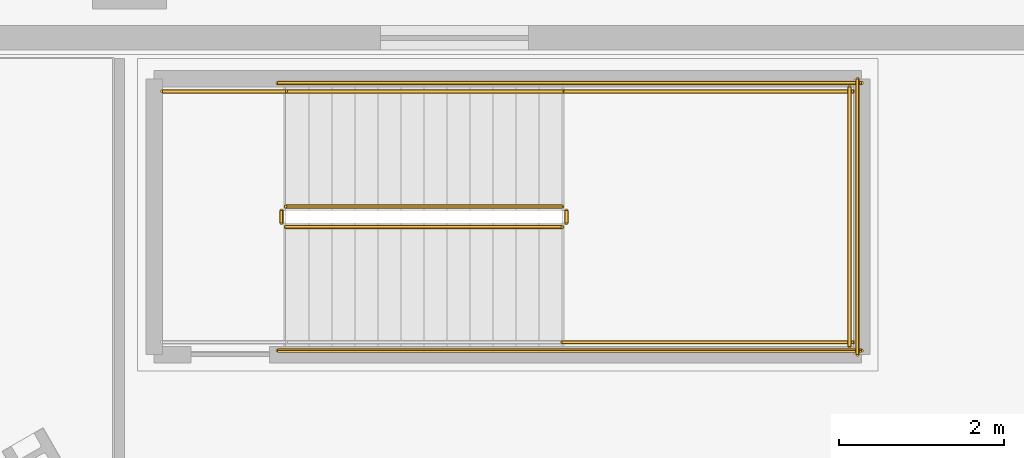
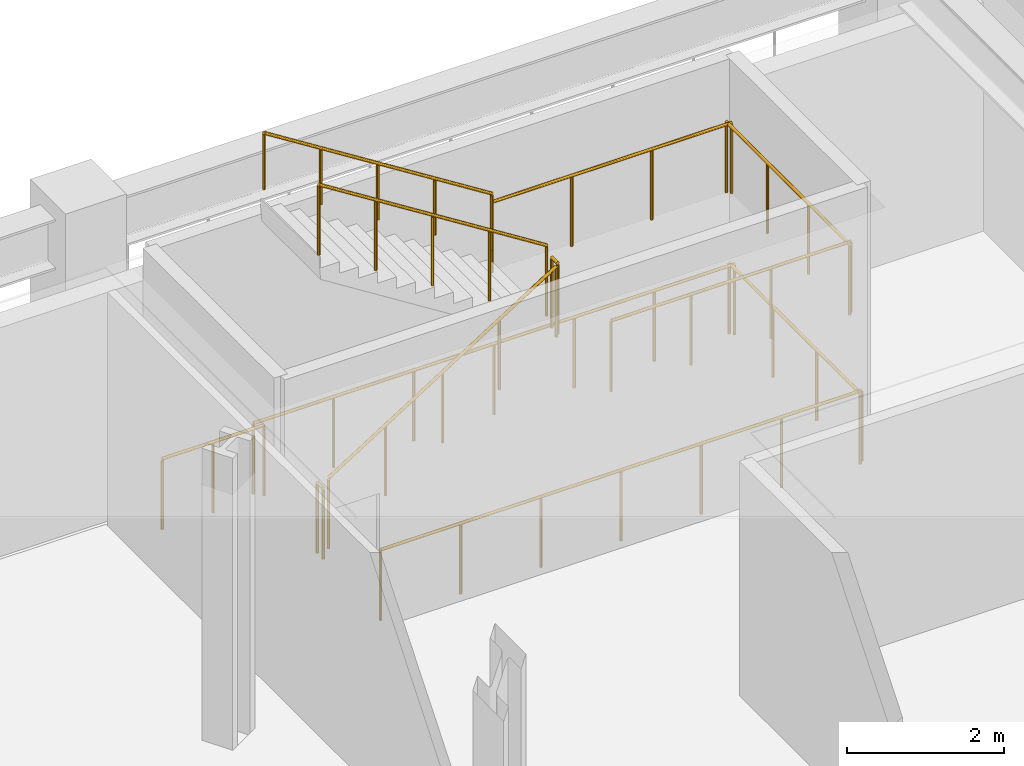
# One storey, part 17 of 18: 12 railings.
"""IFC4 building model written with IfcOpenShell, lengths in metres."""

from ifc_helpers import new_model, si_unit, direction, frame, origin, origin_2d, place, context, subcontext, project, spatial, circle, extrude, material, type_object, element, save


model = new_model("IFC4")

# Units and contexts
model_context = context("Model", 3, precision=1e-05, world=origin(), true_north=direction((0.0, 1.0)))
body_context = subcontext(model_context, "Body", "Model", "MODEL_VIEW")
ifc_project = project(units=[si_unit("LENGTHUNIT", "METRE"), si_unit("AREAUNIT", "SQUARE_METRE"), si_unit("VOLUMEUNIT", "CUBIC_METRE"), si_unit("PLANEANGLEUNIT", "RADIAN"), si_unit("MASSUNIT", "GRAM", prefix="KILO")], contexts=[model_context])

# Site, building, storey
site_placement = place(None, origin())
site = spatial("IfcSite", under=ifc_project, at=site_placement, CompositionType="ELEMENT")
building_placement = place(site_placement, origin())
building = spatial("IfcBuilding", under=site, at=building_placement, Name="Valkerne Bourse Tower", CompositionType="ELEMENT")
storey_placement = place(building_placement, frame((0.0, 0.0, 14.800048828125)))
storey = spatial("IfcBuildingStorey", under=building, at=storey_placement, Name="L03", CompositionType="ELEMENT", Elevation=14.800048828125)

# Railings
ifc_material_1 = material(Name="Galvanised Painted Steel", Category="steel")
railing_type_1 = type_object("IfcRailingType", Name="RLG-ST-GUARD-1120", PredefinedType="GUARDRAIL", material=ifc_material_1)
railing_1_placement = place(storey_placement, frame((65.699951171875, 50.449951171875, 0.1767578125)))
element("IfcRailing", 1, at=railing_1_placement, inside=storey, type_object=railing_type_1, Name="L03 ST-P2 stair guard 1", PredefinedType="GUARDRAIL", context=body_context, shape_type="SweptSolid", body=[
    extrude(circle(Radius=0.02392578125, at=origin_2d()), frame((0.0, 0.0, 1.09619140625), z_axis=(0.845361898145, 0.0, 0.534194029511), x_axis=(0.0, 1.0, 0.0)), (0.0, 0.0, 1.0), 3.974853515625),
    extrude(circle(Radius=0.02099609375, at=origin_2d()), origin(), (0.0, 0.0, 1.0), 1.072021484375),
    extrude(circle(Radius=0.02099609375, at=origin_2d()), frame((0.840087890625, 0.0, 0.53076171875)), (0.0, 0.0, 1.0), 1.072021484375),
    extrude(circle(Radius=0.02099609375, at=origin_2d()), frame((1.68017578125, 0.0, 1.0615234375)), (0.0, 0.0, 1.0), 1.072021484375),
    extrude(circle(Radius=0.02099609375, at=origin_2d()), frame((2.52001953125, 0.0, 1.592529296875)), (0.0, 0.0, 1.0), 1.072021484375),
    extrude(circle(Radius=0.02099609375, at=origin_2d()), frame((3.360107421875, 0.0, 2.123291015625)), (0.0, 0.0, 1.0), 1.072021484375),
])
railing_2_placement = place(storey_placement, frame((69.110107421875, 50.5, 2.300048828125)))
element("IfcRailing", 2, at=railing_2_placement, inside=storey, type_object=railing_type_1, Name="L03 ST-P2 stair guard 2", PredefinedType="GUARDRAIL", context=body_context, shape_type="SweptSolid", body=[
    extrude(circle(Radius=0.02392578125, at=origin_2d()), frame((0.0, 0.0, 1.09619140625), z_axis=(0.0, 1.0, 0.0), x_axis=(-1.0, 0.0, 0.0)), (0.0, 0.0, 1.0), 0.14990234375),
    extrude(circle(Radius=0.02099609375, at=origin_2d()), origin(), (0.0, 0.0, 1.0), 1.072021484375),
    extrude(circle(Radius=0.02099609375, at=origin_2d()), frame((0.0, 0.14990234375, 0.0)), (0.0, 0.0, 1.0), 1.072021484375),
])
for number, where, name in (
    (3, (69.06005859375, 49.050048828125, 2.300048828125), "L03 ST-P2 stair guard 3"),
    (4, (69.06005859375, 52.10009765625, 2.300048828125), "L03 ST-P2 stair guard 4"),
):
    element("IfcRailing", number, at=place(storey_placement, frame(where)), inside=storey, type_object=railing_type_1, Name=name, PredefinedType="GUARDRAIL", context=body_context, shape_type="SweptSolid", body=[
        extrude(circle(Radius=0.02392578125, at=origin_2d()), frame((0.0, 0.0, 1.09619140625), z_axis=(1.0, 0.0, 0.0), x_axis=(0.0, 1.0, 0.0)), (0.0, 0.0, 1.0), 3.5400390625),
        extrude(circle(Radius=0.02099609375, at=origin_2d()), origin(), (0.0, 0.0, 1.0), 1.072021484375),
        extrude(circle(Radius=0.02099609375, at=origin_2d()), frame((1.179931640625, 0.0, 0.0)), (0.0, 0.0, 1.0), 1.072021484375),
        extrude(circle(Radius=0.02099609375, at=origin_2d()), frame((2.360107421875, 0.0, 0.0)), (0.0, 0.0, 1.0), 1.072021484375),
        extrude(circle(Radius=0.02099609375, at=origin_2d()), frame((3.5400390625, 0.0, 0.0)), (0.0, 0.0, 1.0), 1.072021484375),
    ])
railing_3_placement = place(storey_placement, frame((72.550048828125, 49.0, 2.300048828125)))
element("IfcRailing", 5, at=railing_3_placement, inside=storey, type_object=railing_type_1, Name="L03 ST-P2 stair guard 5", PredefinedType="GUARDRAIL", context=body_context, shape_type="SweptSolid", body=[
    extrude(circle(Radius=0.02392578125, at=origin_2d()), frame((0.0, 0.0, 1.09619140625), z_axis=(0.0, 1.0, 0.0), x_axis=(-1.0, 0.0, 0.0)), (0.0, 0.0, 1.0), 3.14990234375),
    extrude(circle(Radius=0.02099609375, at=origin_2d()), origin(), (0.0, 0.0, 1.0), 1.072021484375),
    extrude(circle(Radius=0.02099609375, at=origin_2d()), frame((0.0, 1.050048828125, 0.0)), (0.0, 0.0, 1.0), 1.072021484375),
    extrude(circle(Radius=0.02099609375, at=origin_2d()), frame((0.0, 2.099853515625, 0.0)), (0.0, 0.0, 1.0), 1.072021484375),
    extrude(circle(Radius=0.02099609375, at=origin_2d()), frame((0.0, 3.14990234375, 0.0)), (0.0, 0.0, 1.0), 1.072021484375),
])
railing_4_placement = place(storey_placement, frame((69.06005859375, 50.699951171875, 2.476806640625)))
element("IfcRailing", 6, at=railing_4_placement, inside=storey, type_object=railing_type_1, Name="L03 ST-P2 stair guard 6", PredefinedType="GUARDRAIL", context=body_context, shape_type="SweptSolid", body=[
    extrude(circle(Radius=0.02392578125, at=origin_2d()), frame((0.0, 0.0, 1.09619140625), z_axis=(-0.845389635667, 0.0, 0.534150132366), x_axis=(0.0, -1.0, 0.0)), (0.0, 0.0, 1.0), 3.974609375),
    extrude(circle(Radius=0.02099609375, at=origin_2d()), origin(), (0.0, 0.0, 1.0), 1.072021484375),
    extrude(circle(Radius=0.02099609375, at=origin_2d()), frame((-0.840087890625, 0.0, 0.53076171875)), (0.0, 0.0, 1.0), 1.072021484375),
    extrude(circle(Radius=0.02099609375, at=origin_2d()), frame((-1.68017578125, 0.0, 1.0615234375)), (0.0, 0.0, 1.0), 1.072021484375),
    extrude(circle(Radius=0.02099609375, at=origin_2d()), frame((-2.52001953125, 0.0, 1.59228515625)), (0.0, 0.0, 1.0), 1.072021484375),
    extrude(circle(Radius=0.02099609375, at=origin_2d()), frame((-3.360107421875, 0.0, 2.123046875)), (0.0, 0.0, 1.0), 1.072021484375),
])
railing_5_placement = place(storey_placement, frame((65.64990234375, 50.5, 0.0)))
element("IfcRailing", 7, at=railing_5_placement, inside=storey, type_object=railing_type_1, Name="L03 ST-P2 stair guard 7", PredefinedType="GUARDRAIL", context=body_context, shape_type="SweptSolid", body=[
    extrude(circle(Radius=0.02392578125, at=origin_2d()), frame((0.0, 0.0, 1.09619140625), z_axis=(0.0, 1.0, 0.0), x_axis=(-1.0, 0.0, 0.0)), (0.0, 0.0, 1.0), 0.14990234375),
    extrude(circle(Radius=0.02099609375, at=origin_2d()), origin(), (0.0, 0.0, 1.0), 1.072021484375),
    extrude(circle(Radius=0.02099609375, at=origin_2d()), frame((0.0, 0.14990234375, 0.0)), (0.0, 0.0, 1.0), 1.072021484375),
])
railing_6_placement = place(storey_placement, frame((64.199951171875, 52.10009765625, 0.0)))
element("IfcRailing", 8, at=railing_6_placement, inside=storey, type_object=railing_type_1, Name="L03 ST-P2 stair guard 9", PredefinedType="GUARDRAIL", context=body_context, shape_type="SweptSolid", body=[
    extrude(circle(Radius=0.02392578125, at=origin_2d()), frame((0.0, 0.0, 1.09619140625), z_axis=(1.0, 0.0, 0.0), x_axis=(0.0, 1.0, 0.0)), (0.0, 0.0, 1.0), 1.5),
    extrude(circle(Radius=0.02099609375, at=origin_2d()), origin(), (0.0, 0.0, 1.0), 1.072021484375),
    extrude(circle(Radius=0.02099609375, at=origin_2d()), frame((0.75, 0.0, 0.0)), (0.0, 0.0, 1.0), 1.072021484375),
    extrude(circle(Radius=0.02099609375, at=origin_2d()), frame((1.5, 0.0, 0.0)), (0.0, 0.0, 1.0), 1.072021484375),
])
for number, where, name in (
    (9, (65.60009765625, 48.949951171875, 0.0), "L03 ST-P2 stair guard 10"),
    (10, (65.60009765625, 52.199951171875, 0.0), "L03 ST-P2 stair guard 11"),
):
    element("IfcRailing", number, at=place(storey_placement, frame(where)), inside=storey, type_object=railing_type_1, Name=name, PredefinedType="GUARDRAIL", context=body_context, shape_type="SweptSolid", body=[
        extrude(circle(Radius=0.02392578125, at=origin_2d()), frame((0.0, 0.0, 1.09619140625), z_axis=(1.0, 0.0, 0.0), x_axis=(0.0, 1.0, 0.0)), (0.0, 0.0, 1.0), 7.099853515625),
        extrude(circle(Radius=0.02099609375, at=origin_2d()), origin(), (0.0, 0.0, 1.0), 1.072021484375),
        extrude(circle(Radius=0.02099609375, at=origin_2d()), frame((1.183349609375, 0.0, 0.0)), (0.0, 0.0, 1.0), 1.072021484375),
        extrude(circle(Radius=0.02099609375, at=origin_2d()), frame((2.36669921875, 0.0, 0.0)), (0.0, 0.0, 1.0), 1.072021484375),
        extrude(circle(Radius=0.02099609375, at=origin_2d()), frame((3.5498046875, 0.0, 0.0)), (0.0, 0.0, 1.0), 1.072021484375),
        extrude(circle(Radius=0.02099609375, at=origin_2d()), frame((4.733154296875, 0.0, 0.0)), (0.0, 0.0, 1.0), 1.072021484375),
        extrude(circle(Radius=0.02099609375, at=origin_2d()), frame((5.91650390625, 0.0, 0.0)), (0.0, 0.0, 1.0), 1.072021484375),
        extrude(circle(Radius=0.02099609375, at=origin_2d()), frame((7.099853515625, 0.0, 0.0)), (0.0, 0.0, 1.0), 1.072021484375),
    ])
railing_7_placement = place(storey_placement, frame((72.64990234375, 48.89990234375, 0.0)))
element("IfcRailing", 11, at=railing_7_placement, inside=storey, type_object=railing_type_1, Name="L03 ST-P2 stair guard 12", PredefinedType="GUARDRAIL", context=body_context, shape_type="SweptSolid", body=[
    extrude(circle(Radius=0.02392578125, at=origin_2d()), frame((0.0, 0.0, 1.09619140625), z_axis=(0.0, 1.0, 0.0), x_axis=(-1.0, 0.0, 0.0)), (0.0, 0.0, 1.0), 3.35009765625),
    extrude(circle(Radius=0.02099609375, at=origin_2d()), origin(), (0.0, 0.0, 1.0), 1.072021484375),
    extrude(circle(Radius=0.02099609375, at=origin_2d()), frame((0.0, 1.11669921875, 0.0)), (0.0, 0.0, 1.0), 1.072021484375),
    extrude(circle(Radius=0.02099609375, at=origin_2d()), frame((0.0, 2.2333984375, 0.0)), (0.0, 0.0, 1.0), 1.072021484375),
    extrude(circle(Radius=0.02099609375, at=origin_2d()), frame((0.0, 3.35009765625, 0.0)), (0.0, 0.0, 1.0), 1.072021484375),
])
ifc_material_2 = material(Name="Stainless Steel AISI 316", Category="steel")
railing_type_2 = type_object("IfcRailingType", Name="RLG-ST-HANDRAIL-900", PredefinedType="HANDRAIL", material=ifc_material_2)
railing_8_placement = place(storey_placement, frame((69.06005859375, 52.10009765625, 2.65380859375)))
element("IfcRailing", 12, at=railing_8_placement, inside=storey, type_object=railing_type_2, Name="L03 ST-P2 stair handrail 2", PredefinedType="HANDRAIL", context=body_context, shape_type="SweptSolid", body=[
    extrude(circle(Radius=0.02392578125, at=origin_2d()), frame((0.0, 0.0, 0.8759765625), z_axis=(-0.845389635667, 0.0, 0.534150132366), x_axis=(0.0, -1.0, 0.0)), (0.0, 0.0, 1.0), 3.974609375),
    extrude(circle(Radius=0.02099609375, at=origin_2d()), origin(), (0.0, 0.0, 1.0), 0.851806640625),
    extrude(circle(Radius=0.02099609375, at=origin_2d()), frame((-0.840087890625, 0.0, 0.53076171875)), (0.0, 0.0, 1.0), 0.851806640625),
    extrude(circle(Radius=0.02099609375, at=origin_2d()), frame((-1.68017578125, 0.0, 1.0615234375)), (0.0, 0.0, 1.0), 0.851806640625),
    extrude(circle(Radius=0.02099609375, at=origin_2d()), frame((-2.52001953125, 0.0, 1.59228515625)), (0.0, 0.0, 1.0), 0.851806640625),
    extrude(circle(Radius=0.02099609375, at=origin_2d()), frame((-3.360107421875, 0.0, 2.123046875)), (0.0, 0.0, 1.0), 0.851806640625),
])

save(model, "model.ifc")
